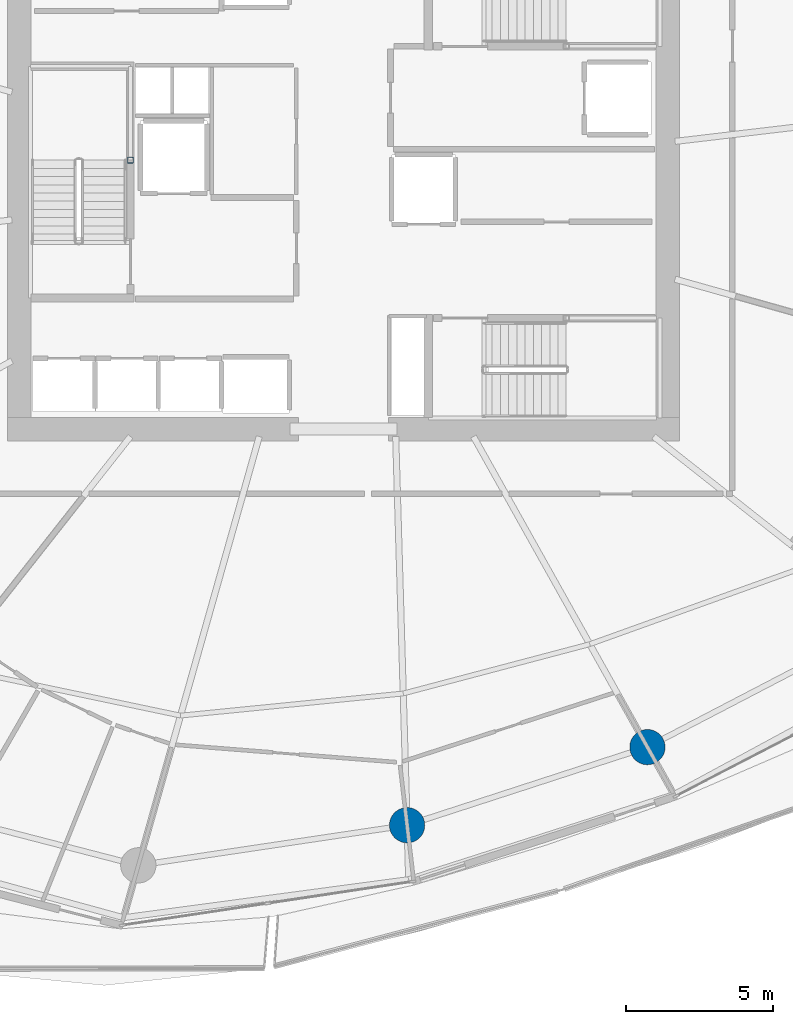
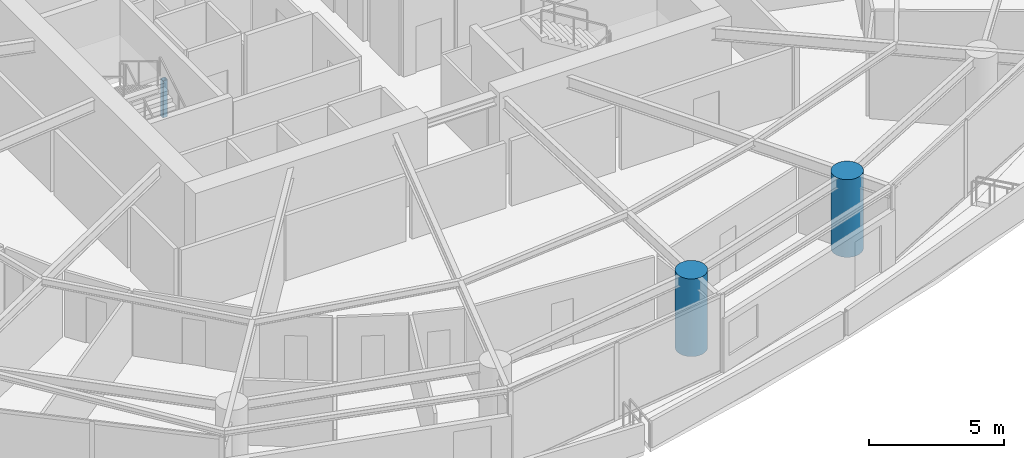
# One storey, part 2 of 22: 3 columns.
"""IFC4 building model written with IfcOpenShell, lengths in metres."""

from ifc_helpers import new_model, si_unit, direction, frame, origin, origin_2d, place, context, subcontext, project, spatial, hollow_rectangle, circle, extrude, material, material_profile, profile_set, type_object, element, save


model = new_model("IFC4")

# Units and contexts
model_context = context("Model", 3, precision=1e-05, world=origin(), true_north=direction((0.0, 1.0)))
body_context = subcontext(model_context, "Body", "Model", "MODEL_VIEW")
ifc_project = project(units=[si_unit("LENGTHUNIT", "METRE"), si_unit("AREAUNIT", "SQUARE_METRE"), si_unit("VOLUMEUNIT", "CUBIC_METRE"), si_unit("PLANEANGLEUNIT", "RADIAN"), si_unit("MASSUNIT", "GRAM", prefix="KILO")], contexts=[model_context])

# Site, building, storey
site_placement = place(None, origin())
site = spatial("IfcSite", under=ifc_project, at=site_placement, CompositionType="ELEMENT")
building_placement = place(site_placement, origin())
building = spatial("IfcBuilding", under=site, at=building_placement, Name="Kazma Halo Residences", CompositionType="ELEMENT")
storey_placement = place(building_placement, frame((0.0, 0.0, 90.14990234375)))
storey = spatial("IfcBuildingStorey", under=building, at=storey_placement, Name="L22", CompositionType="ELEMENT", Elevation=90.14990234375)

# Columns
ifc_material_1 = material(Name="Steel S355", Category="steel")
ifc_material_profile_1 = material_profile(ifc_material_1, hollow_rectangle(XDim=0.199951171875, YDim=0.199951171875, WallThickness=0.010009765625, InnerFilletRadius=0.010009765625, OuterFilletRadius=0.02001953125, at=origin_2d()), Name="SHS200x200x10")
ifc_profile_set_1 = profile_set([ifc_material_profile_1], Name="Steel S355")
column_type_1 = type_object("IfcColumnType", Name="COL-LP-SHS200", PredefinedType="COLUMN", material=ifc_profile_set_1)
column_placement = place(storey_placement, frame((41.179931640625, 42.75, 0.0), z_axis=(0.0, 0.0, 1.0), x_axis=(1.0, 0.0, 0.0)))
element("IfcColumn", 1, at=column_placement, inside=storey, type_object=column_type_1, Name="L22 ST-01 landing pilaster 1", PredefinedType="COLUMN", context=body_context, shape_type="SweptSolid", body=[
    extrude(hollow_rectangle(XDim=0.199951171875, YDim=0.199951171875, WallThickness=0.010009765625, InnerFilletRadius=0.010009765625, OuterFilletRadius=0.02001953125, at=origin_2d()), origin(), (0.0, 0.0, 1.0), 1.670166015625),
])
ifc_material_2 = material(Name="Concrete C80/95", Category="concrete")
ifc_material_profile_2 = material_profile(ifc_material_2, circle(Radius=0.60009765625, at=origin_2d()), Name="CIRC1200")
ifc_profile_set_2 = profile_set([ifc_material_profile_2], Name="Concrete C80/95")
column_type_2 = type_object("IfcColumnType", Name="COL-PERIM-1200", PredefinedType="COLUMN", material=ifc_profile_set_2)
for number, where, z_axis, x_axis, name in (
    (2, (50.58837890625, 20.130859375, 0.0), (0.0, 0.0, 1.0), (1.0, 0.0, 0.0), "L22 perimeter ring column P12"),
    (3, (58.76025390625, 22.7861328125, 0.0), (0.0, 0.0, 1.0), (1.0, 0.0, 0.0), "L22 perimeter ring column P13"),
):
    element("IfcColumn", number, at=place(storey_placement, frame(where, z_axis=z_axis, x_axis=x_axis)), inside=storey, type_object=column_type_2, Name=name, PredefinedType="COLUMN", context=body_context, shape_type="SweptSolid", body=[
        extrude(circle(Radius=0.60009765625, at=origin_2d()), origin(), (0.0, 0.0, 1.0), 3.5),
    ])

save(model, "model.ifc")
